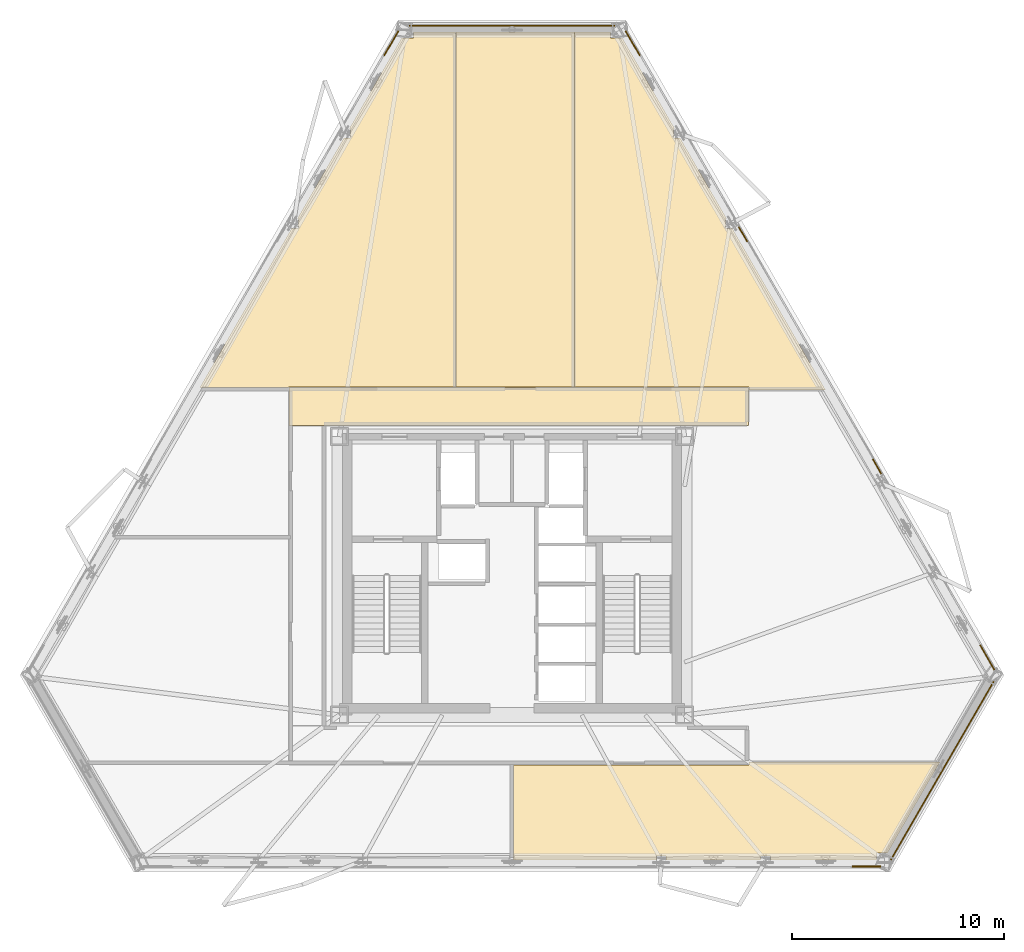
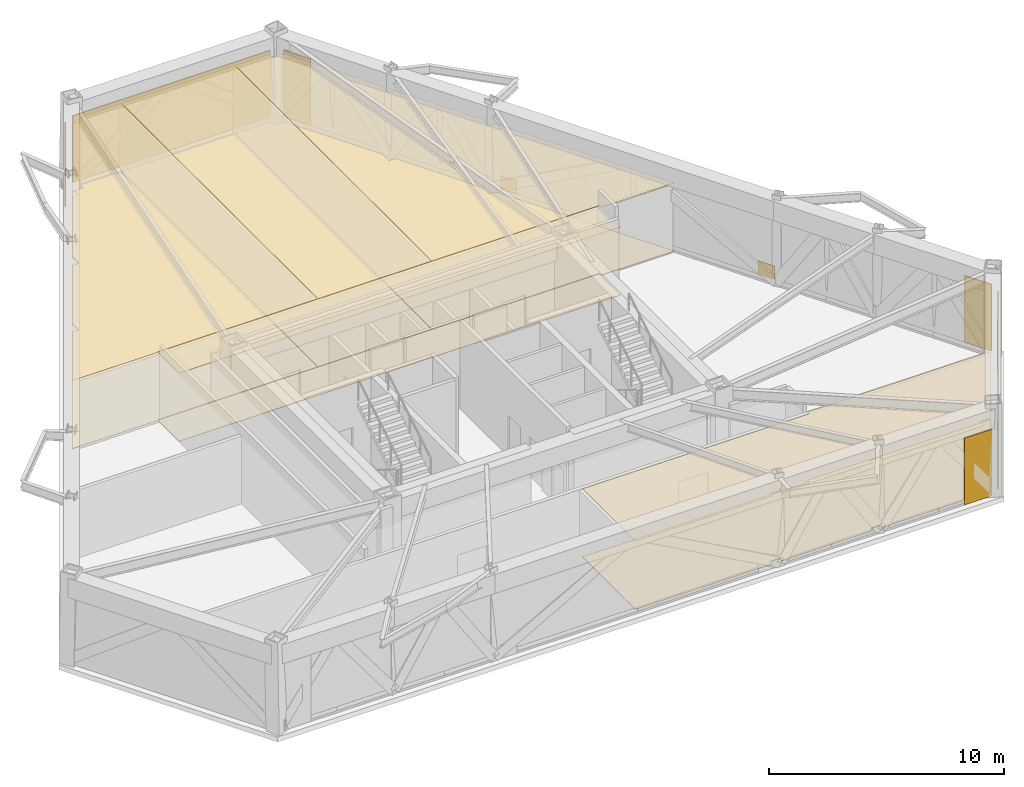
# One storey, part 11 of 11: 18 coverings.
"""IFC4 building model written with IfcOpenShell, lengths in metres."""

from ifc_helpers import new_model, si_unit, direction, frame, origin, origin_2d, place, context, subcontext, project, spatial, polyline, rectangle, outline, extrude, material, layer, layer_set, type_object, element, save


model = new_model("IFC4")

# Units and contexts
model_context = context("Model", 3, precision=1e-05, world=origin(), true_north=direction((0.0, 1.0)))
body_context = subcontext(model_context, "Body", "Model", "MODEL_VIEW")
ifc_project = project(units=[si_unit("LENGTHUNIT", "METRE"), si_unit("AREAUNIT", "SQUARE_METRE"), si_unit("VOLUMEUNIT", "CUBIC_METRE"), si_unit("PLANEANGLEUNIT", "RADIAN"), si_unit("MASSUNIT", "GRAM", prefix="KILO")], contexts=[model_context])

# Site, building, storey
site_placement = place(None, origin())
site = spatial("IfcSite", under=ifc_project, at=site_placement, CompositionType="ELEMENT")
building_placement = place(site_placement, origin())
building = spatial("IfcBuilding", under=site, at=building_placement, Name="Oramaril Tower", CompositionType="ELEMENT")
storey_placement = place(building_placement, frame((0.0, 0.0, 133.800048828125)))
storey = spatial("IfcBuildingStorey", under=building, at=storey_placement, Name="L35", CompositionType="ELEMENT", Elevation=133.800048828125)

# Coverings
ifc_material_1 = material(Name="Mineral Fibre Acoustic Ceiling")
ifc_layer_1 = layer(ifc_material_1, 0.02001953125)
ifc_layer_set_1 = layer_set([ifc_layer_1], Name="CVT-CEIL")
covering_type_1 = type_object("IfcCoveringType", Name="CVT-CEIL", PredefinedType="CEILING", material=ifc_layer_set_1)
covering_1_placement = place(storey_placement, frame((0.0, 0.0, 3.5419921875)))
element("IfcCovering", 1, at=covering_1_placement, inside=storey, type_object=covering_type_1, Name="L35 Acoustic Suspended Ceiling 2", PredefinedType="CEILING", context=body_context, shape_type="SweptSolid", body=[
    extrude(outline(polyline([(48.679931640625, 26.47998046875), (48.679931640625, 24.669921875), (26.969970703125, 24.669921875), (26.969970703125, 26.47998046875), (48.679931640625, 26.47998046875)])), origin(), (0.0, 0.0, 1.0), 0.02001953125),
])
covering_2_placement = place(storey_placement, frame((0.0, 0.0, 3.5419921875)))
element("IfcCovering", 2, at=covering_2_placement, inside=storey, type_object=covering_type_1, Name="L35 Acoustic Suspended Ceiling 5", PredefinedType="CEILING", context=body_context, shape_type="SweptSolid", body=[
    extrude(outline(polyline([(49.712890625, 4.34375), (49.242919921875, 4.34375), (49.242919921875, 4.148681640625), (44.77587890625, 4.148681640625), (44.77587890625, 4.34375), (44.315673828125, 4.34375), (44.315673828125, 4.148681640625), (37.56201171875, 4.148681640625), (37.56201171875, 8.64990234375), (48.679931640625, 8.64990234375), (48.681884765625, 8.650146484375), (48.683837890625, 8.650390625), (48.685791015625, 8.65087890625), (48.687744140625, 8.651611328125), (48.689453125, 8.65234375), (48.691162109375, 8.6533203125), (48.692626953125, 8.654541015625), (48.694091796875, 8.656005859375), (48.695556640625, 8.6572265625), (48.696533203125, 8.658935546875), (48.697509765625, 8.66064453125), (48.698486328125, 8.662353515625), (48.69921875, 8.664306640625), (48.69970703125, 8.666015625), (48.699951171875, 8.66796875), (48.699951171875, 8.669921875), (48.699951171875, 8.7919921875), (57.715087890625, 8.7919921875), (55.23193359375, 4.49072265625), (54.726806640625, 4.49072265625), (54.726806640625, 4.148681640625), (49.712890625, 4.148681640625), (49.712890625, 4.34375)])), origin(), (0.0, 0.0, 1.0), 0.02001953125),
])
covering_3_placement = place(storey_placement, frame((0.0, 0.0, 3.5419921875)))
element("IfcCovering", 3, at=covering_3_placement, inside=storey, type_object=covering_type_1, Name="L35 Acoustic Suspended Ceiling 8", PredefinedType="CEILING", context=body_context, shape_type="SweptSolid", body=[
    extrude(outline(polyline([(27.410888671875, 33.974609375), (27.410888671875, 34.4482421875), (27.364990234375, 34.4482421875), (29.56005859375, 38.25), (29.87939453125, 38.25), (29.87939453125, 38.71533203125), (29.82861328125, 38.71533203125), (32.29638671875, 42.989501953125), (32.84765625, 42.989501953125), (32.84765625, 43.2607421875), (34.842041015625, 43.2607421875), (34.842041015625, 26.5), (26.969970703125, 26.5), (26.968017578125, 26.5), (26.966064453125, 26.49951171875), (26.964111328125, 26.4990234375), (26.96240234375, 26.49853515625), (26.960693359375, 26.49755859375), (26.958984375, 26.49658203125), (26.957275390625, 26.49560546875), (26.955810546875, 26.494140625), (26.95458984375, 26.49267578125), (26.953369140625, 26.4912109375), (26.952392578125, 26.489501953125), (26.951416015625, 26.48779296875), (26.950927734375, 26.48583984375), (26.950439453125, 26.48388671875), (26.9501953125, 26.48193359375), (26.949951171875, 26.47998046875), (26.949951171875, 26.4619140625), (22.754150390625, 26.4619140625), (27.091552734375, 33.974609375), (27.410888671875, 33.974609375)])), origin(), (0.0, 0.0, 1.0), 0.02001953125),
])
covering_4_placement = place(storey_placement, frame((0.0, 0.0, 3.5419921875)))
element("IfcCovering", 4, at=covering_4_placement, inside=storey, type_object=covering_type_1, Name="L35 Acoustic Suspended Ceiling 9", PredefinedType="CEILING", context=body_context, shape_type="SweptSolid", body=[
    extrude(outline(polyline([(40.44189453125, 43.2607421875), (40.44189453125, 26.5), (34.862060546875, 26.5), (34.862060546875, 43.2607421875), (40.44189453125, 43.2607421875)])), origin(), (0.0, 0.0, 1.0), 0.02001953125),
])
covering_5_placement = place(storey_placement, frame((0.0, 0.0, 3.5419921875)))
element("IfcCovering", 5, at=covering_5_placement, inside=storey, type_object=covering_type_1, Name="L35 Acoustic Suspended Ceiling 10", PredefinedType="CEILING", context=body_context, shape_type="SweptSolid", body=[
    extrude(outline(polyline([(42.15234375, 43.2607421875), (42.15234375, 42.989501953125), (42.70361328125, 42.989501953125), (45.17138671875, 38.71533203125), (45.12060546875, 38.71533203125), (45.12060546875, 38.25), (45.43994140625, 38.25), (47.635009765625, 34.4482421875), (47.589111328125, 34.4482421875), (47.589111328125, 33.974609375), (47.908447265625, 33.974609375), (52.305908203125, 26.35791015625), (48.699951171875, 26.35791015625), (48.699951171875, 26.47998046875), (48.699951171875, 26.48193359375), (48.69970703125, 26.48388671875), (48.69921875, 26.48583984375), (48.698486328125, 26.48779296875), (48.697509765625, 26.489501953125), (48.696533203125, 26.4912109375), (48.695556640625, 26.49267578125), (48.694091796875, 26.494140625), (48.692626953125, 26.49560546875), (48.691162109375, 26.49658203125), (48.689453125, 26.49755859375), (48.687744140625, 26.49853515625), (48.685791015625, 26.4990234375), (48.683837890625, 26.49951171875), (48.681884765625, 26.5), (48.679931640625, 26.5), (40.4619140625, 26.5), (40.4619140625, 43.2607421875), (42.15234375, 43.2607421875)])), origin(), (0.0, 0.0, 1.0), 0.02001953125),
])
ifc_material_2 = material(Name="Warm Cream Limestone", Category="masonry")
ifc_layer_2 = layer(ifc_material_2, 0.050048828125)
ifc_layer_set_2 = layer_set([ifc_layer_2], Name="CVT-CLD")
covering_type_2 = type_object("IfcCoveringType", Name="CVT-CLD", PredefinedType="CLADDING", material=ifc_layer_set_2)
covering_6_placement = place(storey_placement, frame((54.24658203125, 3.84765625, 0.0400390625), z_axis=(0.0, 0.0, 1.0), x_axis=(1.0, 0.0, 0.0)))
element("IfcCovering", 6, at=covering_6_placement, inside=storey, type_object=covering_type_2, Name="L35 Warm Cream Limestone Cladding", PredefinedType="CLADDING", context=body_context, shape_type="SweptSolid", body=[
    extrude(rectangle(XDim=1.35009765625, YDim=0.050048828125, at=origin_2d()), origin(), (0.0, 0.0, 1.0), 3.469970703125),
])
covering_7_placement = place(storey_placement, frame((57.818603515625, 8.369140625, 0.0400390625), z_axis=(0.0, 0.0, 1.0), x_axis=(0.499996976998, 0.866027149108, 0.0)))
element("IfcCovering", 7, at=covering_7_placement, inside=storey, type_object=covering_type_2, Name="L35 Warm Cream Limestone Cladding", PredefinedType="CLADDING", context=body_context, shape_type="SweptSolid", body=[
    extrude(rectangle(XDim=9.718994140625, YDim=0.050048828125, at=origin_2d()), origin(), (0.0, 0.0, 1.0), 3.469970703125),
])
for number, where, z_axis, x_axis, name in (
    (8, (59.9482421875, 13.72314453125, 0.0400390625), (0.0, 0.0, 1.0), (-0.500001511499, 0.866024531118, 0.0), "L35 Warm Cream Limestone Cladding"),
    (9, (43.201416015625, 42.729248046875, 0.0400390625), (0.0, 0.0, 1.0), (-0.500001511499, 0.866024531118, 0.0), "L35 Warm Cream Limestone Cladding"),
):
    element("IfcCovering", number, at=place(storey_placement, frame(where, z_axis=z_axis, x_axis=x_axis)), inside=storey, type_object=covering_type_2, Name=name, PredefinedType="CLADDING", context=body_context, shape_type="SweptSolid", body=[
        extrude(rectangle(XDim=1.35009765625, YDim=0.050048828125, at=origin_2d()), origin(), (0.0, 0.0, 1.0), 3.469970703125),
    ])
for number, where, z_axis, x_axis, name in (
    (10, (54.7421875, 22.739990234375, 0.0400390625), (0.0, 0.0, 1.0), (-0.500001511499, 0.866024531118, 0.0), "L35 Warm Cream Limestone Spandrel Cladding"),
    (11, (48.407470703125, 33.712158203125, 0.0400390625), (0.0, 0.0, 1.0), (-0.500001511499, 0.866024531118, 0.0), "L35 Warm Cream Limestone Spandrel Cladding"),
):
    element("IfcCovering", number, at=place(storey_placement, frame(where, z_axis=z_axis, x_axis=x_axis)), inside=storey, type_object=covering_type_2, Name=name, PredefinedType="CLADDING", context=body_context, shape_type="SweptSolid", body=[
        extrude(rectangle(XDim=0.800048828125, YDim=0.050048828125, at=origin_2d()), origin(), (0.0, 0.0, 1.0), 0.679931640625),
    ])
covering_8_placement = place(storey_placement, frame((37.5, 43.561767578125, 0.0400390625), z_axis=(0.0, 0.0, 1.0), x_axis=(-1.0, 0.0, 0.0)))
element("IfcCovering", 12, at=covering_8_placement, inside=storey, type_object=covering_type_2, Name="L35 Warm Cream Limestone Cladding", PredefinedType="CLADDING", context=body_context, shape_type="SweptSolid", body=[
    extrude(rectangle(XDim=9.71875, YDim=0.050048828125, at=origin_2d()), origin(), (0.0, 0.0, 1.0), 3.469970703125),
])
covering_9_placement = place(storey_placement, frame((31.798583984375, 42.729248046875, 0.0400390625), z_axis=(0.0, 0.0, 1.0), x_axis=(-0.500001511499, -0.866024531118, 0.0)))
element("IfcCovering", 13, at=covering_9_placement, inside=storey, type_object=covering_type_2, Name="L35 Warm Cream Limestone Cladding", PredefinedType="CLADDING", context=body_context, shape_type="SweptSolid", body=[
    extrude(rectangle(XDim=1.35009765625, YDim=0.050048828125, at=origin_2d()), origin(), (0.0, 0.0, 1.0), 3.469970703125),
])
ifc_material_3 = material(Name="Honed Quartzite Stone Flooring", Category="masonry")
ifc_layer_3 = layer(ifc_material_3, 0.02490234375)
ifc_layer_set_3 = layer_set([ifc_layer_3], Name="CVT-FLR")
covering_type_3 = type_object("IfcCoveringType", Name="CVT-FLR", PredefinedType="FLOORING", material=ifc_layer_set_3)
covering_10_placement = place(storey_placement, origin())
element("IfcCovering", 14, at=covering_10_placement, inside=storey, type_object=covering_type_3, Name="L35 Honed Stone Floor Finish 2", PredefinedType="FLOORING", context=body_context, shape_type="SweptSolid", body=[
    extrude(outline(polyline([(48.679931640625, 26.47998046875), (48.679931640625, 24.669921875), (26.969970703125, 24.669921875), (26.969970703125, 26.47998046875), (48.679931640625, 26.47998046875)])), origin(), (0.0, 0.0, 1.0), 0.02490234375),
])
covering_11_placement = place(storey_placement, origin())
element("IfcCovering", 15, at=covering_11_placement, inside=storey, type_object=covering_type_3, Name="L35 Honed Stone Floor Finish 5", PredefinedType="FLOORING", context=body_context, shape_type="SweptSolid", body=[
    extrude(outline(polyline([(49.712890625, 4.34375), (49.242919921875, 4.34375), (49.242919921875, 4.148681640625), (44.77587890625, 4.148681640625), (44.77587890625, 4.34375), (44.315673828125, 4.34375), (44.315673828125, 4.148681640625), (37.56201171875, 4.148681640625), (37.56201171875, 8.64990234375), (48.679931640625, 8.64990234375), (48.681884765625, 8.650146484375), (48.683837890625, 8.650390625), (48.685791015625, 8.65087890625), (48.687744140625, 8.651611328125), (48.689453125, 8.65234375), (48.691162109375, 8.6533203125), (48.692626953125, 8.654541015625), (48.694091796875, 8.656005859375), (48.695556640625, 8.6572265625), (48.696533203125, 8.658935546875), (48.697509765625, 8.66064453125), (48.698486328125, 8.662353515625), (48.69921875, 8.664306640625), (48.69970703125, 8.666015625), (48.699951171875, 8.66796875), (48.699951171875, 8.669921875), (48.699951171875, 8.7919921875), (57.715087890625, 8.7919921875), (55.23193359375, 4.49072265625), (54.726806640625, 4.49072265625), (54.726806640625, 4.148681640625), (49.712890625, 4.148681640625), (49.712890625, 4.34375)])), origin(), (0.0, 0.0, 1.0), 0.02490234375),
])
covering_12_placement = place(storey_placement, origin())
element("IfcCovering", 16, at=covering_12_placement, inside=storey, type_object=covering_type_3, Name="L35 Honed Stone Floor Finish 8", PredefinedType="FLOORING", context=body_context, shape_type="SweptSolid", body=[
    extrude(outline(polyline([(27.410888671875, 33.974609375), (27.410888671875, 34.4482421875), (27.364990234375, 34.4482421875), (29.56005859375, 38.25), (29.87939453125, 38.25), (29.87939453125, 38.71533203125), (29.82861328125, 38.71533203125), (32.29638671875, 42.989501953125), (32.84765625, 42.989501953125), (32.84765625, 43.2607421875), (34.842041015625, 43.2607421875), (34.842041015625, 26.5), (26.969970703125, 26.5), (26.968017578125, 26.5), (26.966064453125, 26.49951171875), (26.964111328125, 26.4990234375), (26.96240234375, 26.49853515625), (26.960693359375, 26.49755859375), (26.958984375, 26.49658203125), (26.957275390625, 26.49560546875), (26.955810546875, 26.494140625), (26.95458984375, 26.49267578125), (26.953369140625, 26.4912109375), (26.952392578125, 26.489501953125), (26.951416015625, 26.48779296875), (26.950927734375, 26.48583984375), (26.950439453125, 26.48388671875), (26.9501953125, 26.48193359375), (26.949951171875, 26.47998046875), (26.949951171875, 26.4619140625), (22.754150390625, 26.4619140625), (27.091552734375, 33.974609375), (27.410888671875, 33.974609375)])), origin(), (0.0, 0.0, 1.0), 0.02490234375),
])
covering_13_placement = place(storey_placement, origin())
element("IfcCovering", 17, at=covering_13_placement, inside=storey, type_object=covering_type_3, Name="L35 Honed Stone Floor Finish 9", PredefinedType="FLOORING", context=body_context, shape_type="SweptSolid", body=[
    extrude(outline(polyline([(40.44189453125, 43.2607421875), (40.44189453125, 26.5), (34.862060546875, 26.5), (34.862060546875, 43.2607421875), (40.44189453125, 43.2607421875)])), origin(), (0.0, 0.0, 1.0), 0.02490234375),
])
covering_14_placement = place(storey_placement, origin())
element("IfcCovering", 18, at=covering_14_placement, inside=storey, type_object=covering_type_3, Name="L35 Honed Stone Floor Finish 10", PredefinedType="FLOORING", context=body_context, shape_type="SweptSolid", body=[
    extrude(outline(polyline([(42.15234375, 43.2607421875), (42.15234375, 42.989501953125), (42.70361328125, 42.989501953125), (45.17138671875, 38.71533203125), (45.12060546875, 38.71533203125), (45.12060546875, 38.25), (45.43994140625, 38.25), (47.635009765625, 34.4482421875), (47.589111328125, 34.4482421875), (47.589111328125, 33.974609375), (47.908447265625, 33.974609375), (52.305908203125, 26.35791015625), (48.699951171875, 26.35791015625), (48.699951171875, 26.47998046875), (48.699951171875, 26.48193359375), (48.69970703125, 26.48388671875), (48.69921875, 26.48583984375), (48.698486328125, 26.48779296875), (48.697509765625, 26.489501953125), (48.696533203125, 26.4912109375), (48.695556640625, 26.49267578125), (48.694091796875, 26.494140625), (48.692626953125, 26.49560546875), (48.691162109375, 26.49658203125), (48.689453125, 26.49755859375), (48.687744140625, 26.49853515625), (48.685791015625, 26.4990234375), (48.683837890625, 26.49951171875), (48.681884765625, 26.5), (48.679931640625, 26.5), (40.4619140625, 26.5), (40.4619140625, 43.2607421875), (42.15234375, 43.2607421875)])), origin(), (0.0, 0.0, 1.0), 0.02490234375),
])

save(model, "model.ifc")
